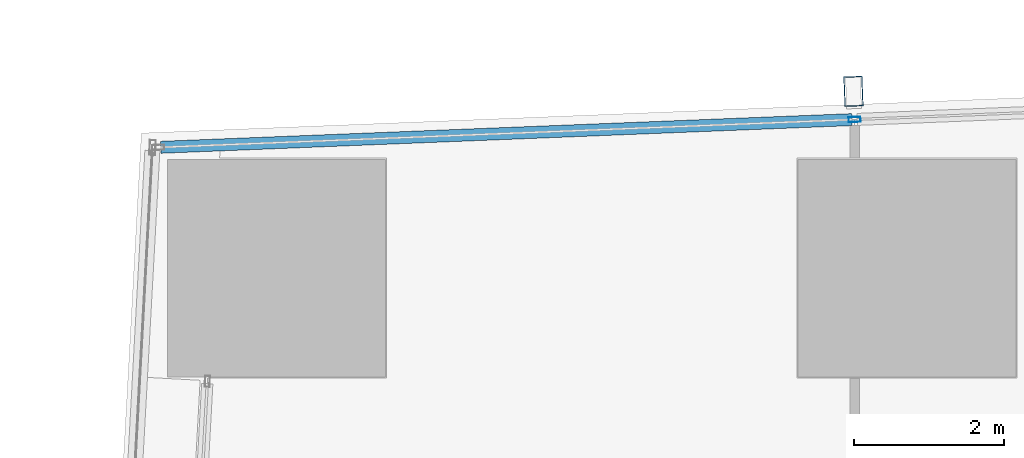
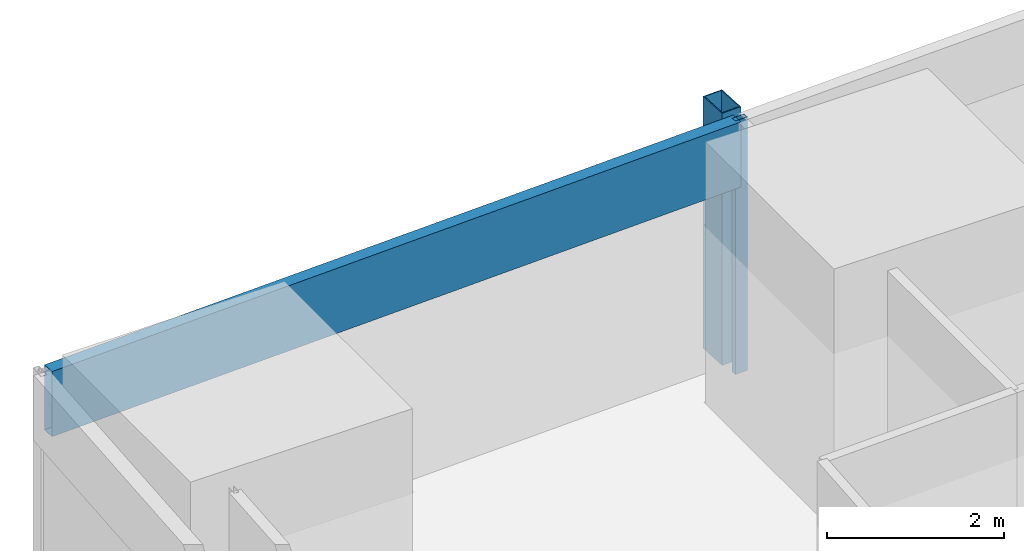
# One storey, part 15 of 40: 3 members, 1 element without a shape of its own.
"""IFC4 building model written with IfcOpenShell, lengths in metres."""

from ifc_helpers import new_model, si_unit, direction, frame, origin, origin_2d, place, context, subcontext, project, spatial, hollow_rectangle, extrude, material, material_profile, profile_set, type_object, element, aggregate, save


model = new_model("IFC4")

# Units and contexts
model_context = context("Model", 3, precision=1e-05, world=origin(), true_north=direction((0.0, 1.0)))
body_context = subcontext(model_context, "Body", "Model", "MODEL_VIEW")
ifc_project = project(units=[si_unit("LENGTHUNIT", "METRE"), si_unit("AREAUNIT", "SQUARE_METRE"), si_unit("VOLUMEUNIT", "CUBIC_METRE"), si_unit("PLANEANGLEUNIT", "RADIAN"), si_unit("MASSUNIT", "GRAM", prefix="KILO")], contexts=[model_context])

# Site, building, storey
site_placement = place(None, origin())
site = spatial("IfcSite", under=ifc_project, at=site_placement, CompositionType="ELEMENT")
building_placement = place(site_placement, origin())
building = spatial("IfcBuilding", under=site, at=building_placement, Name="Rekha Terrace Tower", CompositionType="ELEMENT")
storey_placement = place(building_placement, frame((0.0, 0.0, 95.300048828125)))
storey = spatial("IfcBuildingStorey", under=building, at=storey_placement, Name="L23", CompositionType="ELEMENT", Elevation=95.300048828125)

# Curtain wall, members
ifc_material_1 = material(Name="Aluminium framing", Category="aluminium")
curtain_wall_type = type_object("IfcCurtainWallType", Name="CW3 north unitised glazing", PredefinedType="USERDEFINED", material=ifc_material_1)
curtain_wall_placement = place(storey_placement, origin())
curtain_wall = element("IfcCurtainWall", 1, at=curtain_wall_placement, inside=storey, type_object=curtain_wall_type, Name="CW3 unitised curtain wall", ObjectType="UNITISED CURTAIN WALL", PredefinedType="USERDEFINED")
ifc_material_2 = material(Name="Steel S355 with fluorocarbon finish", Category="steel")
ifc_material_profile_1 = material_profile(ifc_material_2, hollow_rectangle(XDim=0.25, YDim=0.39990234375, WallThickness=0.012451171875, at=origin_2d()), Name="RHS400x250x12.5")
ifc_profile_set_1 = profile_set([ifc_material_profile_1], Name="Steel S355 with fluorocarbon finish")
member_type_1 = type_object("IfcMemberType", Name="BL1 facade blade RHS 400 x 250", PredefinedType="USERDEFINED", material=ifc_profile_set_1)
member_1_placement = place(storey_placement, frame((16.0869140625, 61.1552734375, 0.02001953125), z_axis=(0.0, 0.0, 1.0), x_axis=(-0.999198382632, -0.040032388711, 0.0)))
member_1 = element("IfcMember", 2, at=member_1_placement, type_object=member_type_1, Name="Facade blade", ObjectType="FACADE BLADE", PredefinedType="USERDEFINED", context=body_context, shape_type="SweptSolid", body=[
    extrude(hollow_rectangle(XDim=0.25, YDim=0.39990234375, WallThickness=0.012451171875, at=origin_2d()), origin(), (0.0, 0.0, 1.0), 3.47998046875),
])
ifc_material_3 = material(Name="Aluminium mullion section", Category="aluminium")
ifc_material_profile_2 = material_profile(ifc_material_3, hollow_rectangle(XDim=0.070068359375, YDim=0.159912109375, WallThickness=0.00390625, at=origin_2d()), Name="AL RHS 70x160")
ifc_profile_set_2 = profile_set([ifc_material_profile_2], Name="Aluminium mullion section")
member_type_2 = type_object("IfcMemberType", Name="CW3 mullion RHS 70 x 160", PredefinedType="MULLION", material=ifc_profile_set_2)
member_2_placement = place(storey_placement, frame((16.101806640625, 60.780517578125, 0.0), z_axis=(0.0, 0.0, 1.0), x_axis=(0.040031987119, -0.999198398721, 0.0)))
member_2 = element("IfcMember", 3, at=member_2_placement, type_object=member_type_2, Name="CW3 mullion 4", PredefinedType="MULLION", context=body_context, shape_type="SweptSolid", body=[
    extrude(hollow_rectangle(XDim=0.070068359375, YDim=0.159912109375, WallThickness=0.00390625, at=origin_2d()), origin(), (0.0, 0.0, 1.0), 3.5),
])
ifc_material_4 = material(Name="Insulated aluminium spandrel box", Category="aluminium")
ifc_material_profile_3 = material_profile(ifc_material_4, hollow_rectangle(XDim=0.159912109375, YDim=0.89990234375, WallThickness=0.0029296875, at=origin_2d()), Name="AL SPANDREL BOX 160x900")
ifc_profile_set_3 = profile_set([ifc_material_profile_3], Name="Insulated aluminium spandrel box")
member_type_3 = type_object("IfcMemberType", Name="CW3 spandrel transom 160 x 900", PredefinedType="USERDEFINED", material=ifc_profile_set_3)
member_3_placement = place(storey_placement, frame((16.06689453125, 60.779052734375, 3.050048828125), z_axis=(-0.999198332483, -0.040033640399, 0.0), x_axis=(0.040033640399, -0.999198332483, 0.0)))
member_3 = element("IfcMember", 4, at=member_3_placement, type_object=member_type_3, Name="CW3 spandrel transom 4", ObjectType="TRANSOM", PredefinedType="USERDEFINED", context=body_context, shape_type="SweptSolid", body=[
    extrude(hollow_rectangle(XDim=0.159912109375, YDim=0.89990234375, WallThickness=0.0029296875, at=origin_2d()), origin(), (0.0, 0.0, 1.0), 9.214599609375),
])
aggregate(curtain_wall, [member_2, member_3, member_1])

save(model, "model.ifc")
